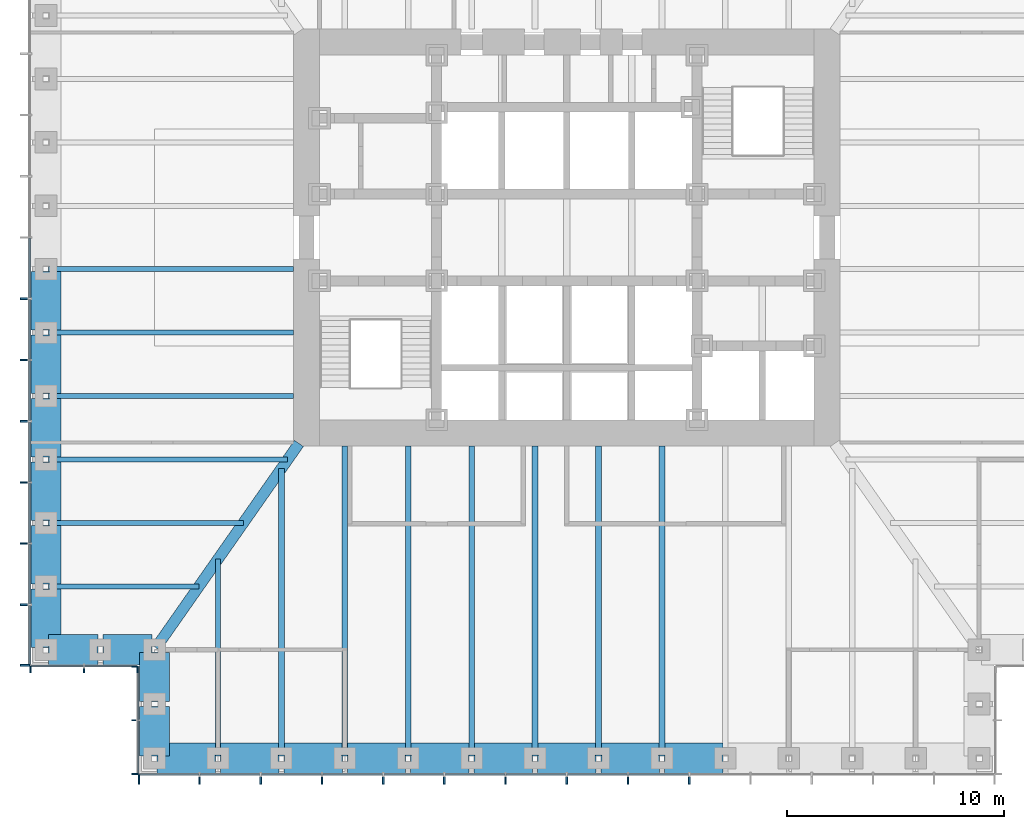
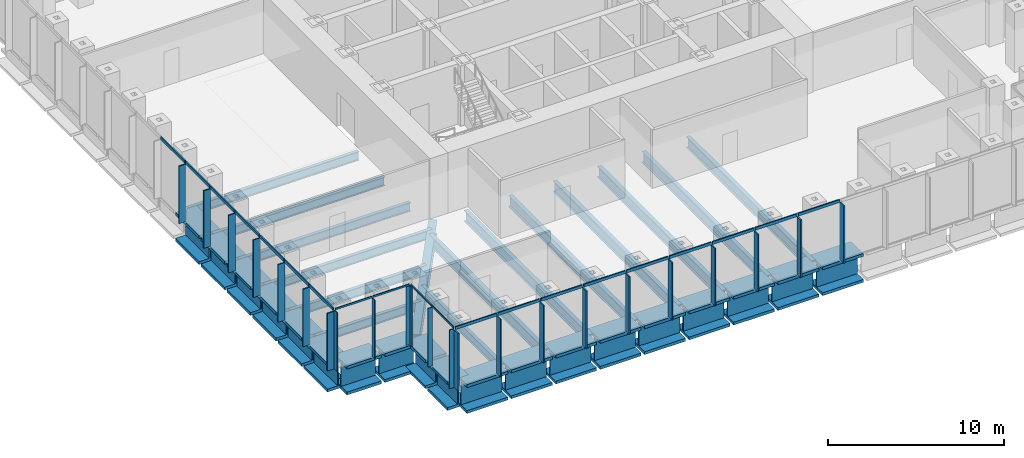
# One storey, part 2 of 16: 43 members, 34 beams, 4 elements without a shape of their own.
"""IFC4 building model written with IfcOpenShell, lengths in metres."""

from ifc_helpers import new_model, si_unit, direction, frame, origin, origin_2d, place, context, subcontext, project, spatial, rectangle, i_section, extrude, material, material_profile, profile_set, type_object, element, aggregate, save


model = new_model("IFC4")

# Units and contexts
model_context = context("Model", 3, precision=1e-05, world=origin(), true_north=direction((0.0, 1.0)))
body_context = subcontext(model_context, "Body", "Model", "MODEL_VIEW")
ifc_project = project(units=[si_unit("LENGTHUNIT", "METRE"), si_unit("AREAUNIT", "SQUARE_METRE"), si_unit("VOLUMEUNIT", "CUBIC_METRE"), si_unit("PLANEANGLEUNIT", "RADIAN"), si_unit("MASSUNIT", "GRAM", prefix="KILO")], contexts=[model_context])

# Site, building, storey
site_placement = place(None, origin())
site = spatial("IfcSite", under=ifc_project, at=site_placement, CompositionType="ELEMENT")
building_placement = place(site_placement, origin())
building = spatial("IfcBuilding", under=site, at=building_placement, Name="Daluyong Arena Tower", CompositionType="ELEMENT")
storey_placement = place(building_placement, frame((0.0, 0.0, 39.10009765625)))
storey = spatial("IfcBuildingStorey", under=building, at=storey_placement, Name="L07", CompositionType="ELEMENT", Elevation=39.10009765625)

# Curtain wall, members
ifc_material_1 = material(Name="Bronze anodised aluminium and glass", Category="aluminium")
curtain_wall_type_1 = type_object("IfcCurtainWallType", Name="Curtain wall CW1", PredefinedType="USERDEFINED", material=ifc_material_1)
curtain_wall_1_placement = place(storey_placement, origin())
curtain_wall_1 = element("IfcCurtainWall", 1, at=curtain_wall_1_placement, inside=storey, type_object=curtain_wall_type_1, Name="curtain wall L07 S", ObjectType="UNITISED CURTAIN WALL", PredefinedType="USERDEFINED")
ifc_material_2 = material(Name="Bronze anodised aluminium fin", Category="aluminium")
ifc_material_profile_1 = material_profile(ifc_material_2, rectangle(XDim=0.449951171875, YDim=0.080078125, at=origin_2d()))
ifc_profile_set_1 = profile_set([ifc_material_profile_1], Name="Bronze anodised aluminium fin")
member_type_1 = type_object("IfcMemberType", Name="CW1 bronze fin 450x80", PredefinedType="MULLION", material=ifc_profile_set_1)
member_1_placement = place(storey_placement, frame((36.2900390625, 55.02490234375, 0.0), z_axis=(0.0, 0.0, 1.0), x_axis=(0.0, 1.0, 0.0)))
member_1 = element("IfcMember", 2, at=member_1_placement, type_object=member_type_1, Name="curtain wall L07 S fin 1", PredefinedType="MULLION", context=body_context, shape_type="SweptSolid", body=[
    extrude(rectangle(XDim=0.449951171875, YDim=0.080078125, at=origin_2d()), origin(), (0.0, 0.0, 1.0), 4.0),
])
member_2_placement = place(storey_placement, frame((39.071533203125, 55.02490234375, 0.0), z_axis=(0.0, 0.0, 1.0), x_axis=(0.0, 1.0, 0.0)))
member_2 = element("IfcMember", 3, at=member_2_placement, type_object=member_type_1, Name="curtain wall L07 S fin 2", PredefinedType="MULLION", context=body_context, shape_type="SweptSolid", body=[
    extrude(rectangle(XDim=0.449951171875, YDim=0.080078125, at=origin_2d()), origin(), (0.0, 0.0, 1.0), 4.0),
])
member_3_placement = place(storey_placement, frame((41.892822265625, 55.02490234375, 0.0), z_axis=(0.0, 0.0, 1.0), x_axis=(0.0, 1.0, 0.0)))
member_3 = element("IfcMember", 4, at=member_3_placement, type_object=member_type_1, Name="curtain wall L07 S fin 3", PredefinedType="MULLION", context=body_context, shape_type="SweptSolid", body=[
    extrude(rectangle(XDim=0.449951171875, YDim=0.080078125, at=origin_2d()), origin(), (0.0, 0.0, 1.0), 4.0),
])
member_4_placement = place(storey_placement, frame((44.71435546875, 55.02490234375, 0.0), z_axis=(0.0, 0.0, 1.0), x_axis=(0.0, 1.0, 0.0)))
member_4 = element("IfcMember", 5, at=member_4_placement, type_object=member_type_1, Name="curtain wall L07 S fin 4", PredefinedType="MULLION", context=body_context, shape_type="SweptSolid", body=[
    extrude(rectangle(XDim=0.449951171875, YDim=0.080078125, at=origin_2d()), origin(), (0.0, 0.0, 1.0), 4.0),
])
member_5_placement = place(storey_placement, frame((47.53564453125, 55.02490234375, 0.0), z_axis=(0.0, 0.0, 1.0), x_axis=(0.0, 1.0, 0.0)))
member_5 = element("IfcMember", 6, at=member_5_placement, type_object=member_type_1, Name="curtain wall L07 S fin 5", PredefinedType="MULLION", context=body_context, shape_type="SweptSolid", body=[
    extrude(rectangle(XDim=0.449951171875, YDim=0.080078125, at=origin_2d()), origin(), (0.0, 0.0, 1.0), 4.0),
])
member_6_placement = place(storey_placement, frame((50.357177734375, 55.02490234375, 0.0), z_axis=(0.0, 0.0, 1.0), x_axis=(0.0, 1.0, 0.0)))
member_6 = element("IfcMember", 7, at=member_6_placement, type_object=member_type_1, Name="curtain wall L07 S fin 6", PredefinedType="MULLION", context=body_context, shape_type="SweptSolid", body=[
    extrude(rectangle(XDim=0.449951171875, YDim=0.080078125, at=origin_2d()), origin(), (0.0, 0.0, 1.0), 4.0),
])
member_7_placement = place(storey_placement, frame((53.178466796875, 55.02490234375, 0.0), z_axis=(0.0, 0.0, 1.0), x_axis=(0.0, 1.0, 0.0)))
member_7 = element("IfcMember", 8, at=member_7_placement, type_object=member_type_1, Name="curtain wall L07 S fin 7", PredefinedType="MULLION", context=body_context, shape_type="SweptSolid", body=[
    extrude(rectangle(XDim=0.449951171875, YDim=0.080078125, at=origin_2d()), origin(), (0.0, 0.0, 1.0), 4.0),
])
member_8_placement = place(storey_placement, frame((56.0, 55.02490234375, 0.0), z_axis=(0.0, 0.0, 1.0), x_axis=(0.0, 1.0, 0.0)))
member_8 = element("IfcMember", 9, at=member_8_placement, type_object=member_type_1, Name="curtain wall L07 S fin 8", PredefinedType="MULLION", context=body_context, shape_type="SweptSolid", body=[
    extrude(rectangle(XDim=0.449951171875, YDim=0.080078125, at=origin_2d()), origin(), (0.0, 0.0, 1.0), 4.0),
])
member_9_placement = place(storey_placement, frame((58.821533203125, 55.02490234375, 0.0), z_axis=(0.0, 0.0, 1.0), x_axis=(0.0, 1.0, 0.0)))
member_9 = element("IfcMember", 10, at=member_9_placement, type_object=member_type_1, Name="curtain wall L07 S fin 9", PredefinedType="MULLION", context=body_context, shape_type="SweptSolid", body=[
    extrude(rectangle(XDim=0.449951171875, YDim=0.080078125, at=origin_2d()), origin(), (0.0, 0.0, 1.0), 4.0),
])
member_10_placement = place(storey_placement, frame((61.642822265625, 55.02490234375, 0.0), z_axis=(0.0, 0.0, 1.0), x_axis=(0.0, 1.0, 0.0)))
member_10 = element("IfcMember", 11, at=member_10_placement, type_object=member_type_1, Name="curtain wall L07 S fin 10", PredefinedType="MULLION", context=body_context, shape_type="SweptSolid", body=[
    extrude(rectangle(XDim=0.449951171875, YDim=0.080078125, at=origin_2d()), origin(), (0.0, 0.0, 1.0), 4.0),
])

curtain_wall_2_placement = place(storey_placement, origin())
curtain_wall_2 = element("IfcCurtainWall", 12, at=curtain_wall_2_placement, inside=storey, type_object=curtain_wall_type_1, Name="curtain wall L07 W", ObjectType="UNITISED CURTAIN WALL", PredefinedType="USERDEFINED")
member_11_placement = place(storey_placement, frame((31.02490234375, 77.178466796875, 0.0), z_axis=(0.0, 0.0, 1.0), x_axis=(1.0, 0.0, 0.0)))
member_11 = element("IfcMember", 13, at=member_11_placement, type_object=member_type_1, Name="curtain wall L07 W fin 9", PredefinedType="MULLION", context=body_context, shape_type="SweptSolid", body=[
    extrude(rectangle(XDim=0.449951171875, YDim=0.080078125, at=origin_2d()), origin(), (0.0, 0.0, 1.0), 4.0),
])
member_12_placement = place(storey_placement, frame((31.02490234375, 74.357177734375, 0.0), z_axis=(0.0, 0.0, 1.0), x_axis=(1.0, 0.0, 0.0)))
member_12 = element("IfcMember", 14, at=member_12_placement, type_object=member_type_1, Name="curtain wall L07 W fin 10", PredefinedType="MULLION", context=body_context, shape_type="SweptSolid", body=[
    extrude(rectangle(XDim=0.449951171875, YDim=0.080078125, at=origin_2d()), origin(), (0.0, 0.0, 1.0), 4.0),
])
member_13_placement = place(storey_placement, frame((31.02490234375, 71.53564453125, 0.0), z_axis=(0.0, 0.0, 1.0), x_axis=(1.0, 0.0, 0.0)))
member_13 = element("IfcMember", 15, at=member_13_placement, type_object=member_type_1, Name="curtain wall L07 W fin 11", PredefinedType="MULLION", context=body_context, shape_type="SweptSolid", body=[
    extrude(rectangle(XDim=0.449951171875, YDim=0.080078125, at=origin_2d()), origin(), (0.0, 0.0, 1.0), 4.0),
])
member_14_placement = place(storey_placement, frame((31.02490234375, 68.71435546875, 0.0), z_axis=(0.0, 0.0, 1.0), x_axis=(1.0, 0.0, 0.0)))
member_14 = element("IfcMember", 16, at=member_14_placement, type_object=member_type_1, Name="curtain wall L07 W fin 12", PredefinedType="MULLION", context=body_context, shape_type="SweptSolid", body=[
    extrude(rectangle(XDim=0.449951171875, YDim=0.080078125, at=origin_2d()), origin(), (0.0, 0.0, 1.0), 4.0),
])
member_15_placement = place(storey_placement, frame((31.02490234375, 65.892822265625, 0.0), z_axis=(0.0, 0.0, 1.0), x_axis=(1.0, 0.0, 0.0)))
member_15 = element("IfcMember", 17, at=member_15_placement, type_object=member_type_1, Name="curtain wall L07 W fin 13", PredefinedType="MULLION", context=body_context, shape_type="SweptSolid", body=[
    extrude(rectangle(XDim=0.449951171875, YDim=0.080078125, at=origin_2d()), origin(), (0.0, 0.0, 1.0), 4.0),
])
member_16_placement = place(storey_placement, frame((31.02490234375, 63.071533203125, 0.0), z_axis=(0.0, 0.0, 1.0), x_axis=(1.0, 0.0, 0.0)))
member_16 = element("IfcMember", 18, at=member_16_placement, type_object=member_type_1, Name="curtain wall L07 W fin 14", PredefinedType="MULLION", context=body_context, shape_type="SweptSolid", body=[
    extrude(rectangle(XDim=0.449951171875, YDim=0.080078125, at=origin_2d()), origin(), (0.0, 0.0, 1.0), 4.0),
])
member_17_placement = place(storey_placement, frame((31.02490234375, 60.2900390625, 0.0), z_axis=(0.0, 0.0, 1.0), x_axis=(1.0, 0.0, 0.0)))
member_17 = element("IfcMember", 19, at=member_17_placement, type_object=member_type_1, Name="curtain wall L07 W fin 15", PredefinedType="MULLION", context=body_context, shape_type="SweptSolid", body=[
    extrude(rectangle(XDim=0.449951171875, YDim=0.080078125, at=origin_2d()), origin(), (0.0, 0.0, 1.0), 4.0),
])

# Member
ifc_material_3 = material(Name="Bronze anodised aluminium", Category="aluminium")
ifc_material_profile_2 = material_profile(ifc_material_3, rectangle(XDim=0.080078125, YDim=0.199951171875, at=origin_2d()))
ifc_profile_set_2 = profile_set([ifc_material_profile_2], Name="Bronze anodised aluminium")
member_type_2 = type_object("IfcMemberType", Name="CW1 stack transom 200x80", PredefinedType="USERDEFINED", material=ifc_profile_set_2)
member_18_placement = place(storey_placement, frame((36.330078125, 55.25, 4.099853515625), z_axis=(1.0, 0.0, 0.0), x_axis=(0.0, 1.0, 0.0)))
member_18 = element("IfcMember", 20, at=member_18_placement, type_object=member_type_2, Name="curtain wall L07 S transom 1", ObjectType="TRANSOM", PredefinedType="USERDEFINED", context=body_context, shape_type="SweptSolid", body=[
    extrude(rectangle(XDim=0.080078125, YDim=0.199951171875, at=origin_2d()), origin(), (0.0, 0.0, 1.0), 2.701416015625),
])

member_19_placement = place(storey_placement, frame((39.111328125, 55.25, 4.099853515625), z_axis=(1.0, 0.0, 0.0), x_axis=(0.0, 1.0, 0.0)))
member_19 = element("IfcMember", 21, at=member_19_placement, type_object=member_type_2, Name="curtain wall L07 S transom 2", ObjectType="TRANSOM", PredefinedType="USERDEFINED", context=body_context, shape_type="SweptSolid", body=[
    extrude(rectangle(XDim=0.080078125, YDim=0.199951171875, at=origin_2d()), origin(), (0.0, 0.0, 1.0), 2.741455078125),
])

member_20_placement = place(storey_placement, frame((41.932861328125, 55.25, 4.099853515625), z_axis=(1.0, 0.0, 0.0), x_axis=(0.0, 1.0, 0.0)))
member_20 = element("IfcMember", 22, at=member_20_placement, type_object=member_type_2, Name="curtain wall L07 S transom 3", ObjectType="TRANSOM", PredefinedType="USERDEFINED", context=body_context, shape_type="SweptSolid", body=[
    extrude(rectangle(XDim=0.080078125, YDim=0.199951171875, at=origin_2d()), origin(), (0.0, 0.0, 1.0), 2.741455078125),
])

member_21_placement = place(storey_placement, frame((44.75439453125, 55.25, 4.099853515625), z_axis=(1.0, 0.0, 0.0), x_axis=(0.0, 1.0, 0.0)))
member_21 = element("IfcMember", 23, at=member_21_placement, type_object=member_type_2, Name="curtain wall L07 S transom 4", ObjectType="TRANSOM", PredefinedType="USERDEFINED", context=body_context, shape_type="SweptSolid", body=[
    extrude(rectangle(XDim=0.080078125, YDim=0.199951171875, at=origin_2d()), origin(), (0.0, 0.0, 1.0), 2.7412109375),
])

member_22_placement = place(storey_placement, frame((47.57568359375, 55.25, 4.099853515625), z_axis=(1.0, 0.0, 0.0), x_axis=(0.0, 1.0, 0.0)))
member_22 = element("IfcMember", 24, at=member_22_placement, type_object=member_type_2, Name="curtain wall L07 S transom 5", ObjectType="TRANSOM", PredefinedType="USERDEFINED", context=body_context, shape_type="SweptSolid", body=[
    extrude(rectangle(XDim=0.080078125, YDim=0.199951171875, at=origin_2d()), origin(), (0.0, 0.0, 1.0), 2.741455078125),
])

member_23_placement = place(storey_placement, frame((50.397216796875, 55.25, 4.099853515625), z_axis=(1.0, 0.0, 0.0), x_axis=(0.0, 1.0, 0.0)))
member_23 = element("IfcMember", 25, at=member_23_placement, type_object=member_type_2, Name="curtain wall L07 S transom 6", ObjectType="TRANSOM", PredefinedType="USERDEFINED", context=body_context, shape_type="SweptSolid", body=[
    extrude(rectangle(XDim=0.080078125, YDim=0.199951171875, at=origin_2d()), origin(), (0.0, 0.0, 1.0), 2.741455078125),
])

member_24_placement = place(storey_placement, frame((53.218505859375, 55.25, 4.099853515625), z_axis=(1.0, 0.0, 0.0), x_axis=(0.0, 1.0, 0.0)))
member_24 = element("IfcMember", 26, at=member_24_placement, type_object=member_type_2, Name="curtain wall L07 S transom 7", ObjectType="TRANSOM", PredefinedType="USERDEFINED", context=body_context, shape_type="SweptSolid", body=[
    extrude(rectangle(XDim=0.080078125, YDim=0.199951171875, at=origin_2d()), origin(), (0.0, 0.0, 1.0), 2.741455078125),
])

member_25_placement = place(storey_placement, frame((56.0400390625, 55.25, 4.099853515625), z_axis=(1.0, 0.0, 0.0), x_axis=(0.0, 1.0, 0.0)))
member_25 = element("IfcMember", 27, at=member_25_placement, type_object=member_type_2, Name="curtain wall L07 S transom 8", ObjectType="TRANSOM", PredefinedType="USERDEFINED", context=body_context, shape_type="SweptSolid", body=[
    extrude(rectangle(XDim=0.080078125, YDim=0.199951171875, at=origin_2d()), origin(), (0.0, 0.0, 1.0), 2.741455078125),
])

member_26_placement = place(storey_placement, frame((58.861328125, 55.25, 4.099853515625), z_axis=(1.0, 0.0, 0.0), x_axis=(0.0, 1.0, 0.0)))
member_26 = element("IfcMember", 28, at=member_26_placement, type_object=member_type_2, Name="curtain wall L07 S transom 9", ObjectType="TRANSOM", PredefinedType="USERDEFINED", context=body_context, shape_type="SweptSolid", body=[
    extrude(rectangle(XDim=0.080078125, YDim=0.199951171875, at=origin_2d()), origin(), (0.0, 0.0, 1.0), 2.741455078125),
])

aggregate(curtain_wall_1, [member_1, member_2, member_3, member_4, member_5, member_6, member_7, member_8, member_9, member_10, member_18, member_19, member_20, member_21, member_22, member_23, member_24, member_25, member_26])

member_27_placement = place(storey_placement, frame((31.25, 79.9599609375, 4.099853515625), z_axis=(0.0, -1.0, 0.0), x_axis=(1.0, 0.0, 0.0)))
member_27 = element("IfcMember", 29, at=member_27_placement, type_object=member_type_2, Name="curtain wall L07 W transom 8", ObjectType="TRANSOM", PredefinedType="USERDEFINED", context=body_context, shape_type="SweptSolid", body=[
    extrude(rectangle(XDim=0.080078125, YDim=0.199951171875, at=origin_2d()), origin(), (0.0, 0.0, 1.0), 2.741455078125),
])

member_28_placement = place(storey_placement, frame((31.25, 77.138671875, 4.099853515625), z_axis=(0.0, -1.0, 0.0), x_axis=(1.0, 0.0, 0.0)))
member_28 = element("IfcMember", 30, at=member_28_placement, type_object=member_type_2, Name="curtain wall L07 W transom 9", ObjectType="TRANSOM", PredefinedType="USERDEFINED", context=body_context, shape_type="SweptSolid", body=[
    extrude(rectangle(XDim=0.080078125, YDim=0.199951171875, at=origin_2d()), origin(), (0.0, 0.0, 1.0), 2.741455078125),
])

member_29_placement = place(storey_placement, frame((31.25, 74.317138671875, 4.099853515625), z_axis=(0.0, -1.0, 0.0), x_axis=(1.0, 0.0, 0.0)))
member_29 = element("IfcMember", 31, at=member_29_placement, type_object=member_type_2, Name="curtain wall L07 W transom 10", ObjectType="TRANSOM", PredefinedType="USERDEFINED", context=body_context, shape_type="SweptSolid", body=[
    extrude(rectangle(XDim=0.080078125, YDim=0.199951171875, at=origin_2d()), origin(), (0.0, 0.0, 1.0), 2.741455078125),
])

member_30_placement = place(storey_placement, frame((31.25, 71.49560546875, 4.099853515625), z_axis=(0.0, -1.0, 0.0), x_axis=(1.0, 0.0, 0.0)))
member_30 = element("IfcMember", 32, at=member_30_placement, type_object=member_type_2, Name="curtain wall L07 W transom 11", ObjectType="TRANSOM", PredefinedType="USERDEFINED", context=body_context, shape_type="SweptSolid", body=[
    extrude(rectangle(XDim=0.080078125, YDim=0.199951171875, at=origin_2d()), origin(), (0.0, 0.0, 1.0), 2.7412109375),
])

member_31_placement = place(storey_placement, frame((31.25, 68.67431640625, 4.099853515625), z_axis=(0.0, -1.0, 0.0), x_axis=(1.0, 0.0, 0.0)))
member_31 = element("IfcMember", 33, at=member_31_placement, type_object=member_type_2, Name="curtain wall L07 W transom 12", ObjectType="TRANSOM", PredefinedType="USERDEFINED", context=body_context, shape_type="SweptSolid", body=[
    extrude(rectangle(XDim=0.080078125, YDim=0.199951171875, at=origin_2d()), origin(), (0.0, 0.0, 1.0), 2.741455078125),
])

member_32_placement = place(storey_placement, frame((31.25, 65.852783203125, 4.099853515625), z_axis=(0.0, -1.0, 0.0), x_axis=(1.0, 0.0, 0.0)))
member_32 = element("IfcMember", 34, at=member_32_placement, type_object=member_type_2, Name="curtain wall L07 W transom 13", ObjectType="TRANSOM", PredefinedType="USERDEFINED", context=body_context, shape_type="SweptSolid", body=[
    extrude(rectangle(XDim=0.080078125, YDim=0.199951171875, at=origin_2d()), origin(), (0.0, 0.0, 1.0), 2.741455078125),
])

member_33_placement = place(storey_placement, frame((31.25, 63.031494140625, 4.099853515625), z_axis=(0.0, -1.0, 0.0), x_axis=(1.0, 0.0, 0.0)))
member_33 = element("IfcMember", 35, at=member_33_placement, type_object=member_type_2, Name="curtain wall L07 W transom 14", ObjectType="TRANSOM", PredefinedType="USERDEFINED", context=body_context, shape_type="SweptSolid", body=[
    extrude(rectangle(XDim=0.080078125, YDim=0.199951171875, at=origin_2d()), origin(), (0.0, 0.0, 1.0), 2.701416015625),
])

aggregate(curtain_wall_2, [member_11, member_12, member_13, member_14, member_15, member_16, member_17, member_27, member_28, member_29, member_30, member_31, member_32, member_33])

# Curtain wall, members
ifc_material_4 = material(Name="Bronze anodised aluminium and glass", Category="aluminium")
curtain_wall_type_2 = type_object("IfcCurtainWallType", Name="Curtain wall CW7", PredefinedType="USERDEFINED", material=ifc_material_4)
curtain_wall_3_placement = place(storey_placement, origin())
curtain_wall_3 = element("IfcCurtainWall", 36, at=curtain_wall_3_placement, inside=storey, type_object=curtain_wall_type_2, Name="curtain wall L07 SW-S", ObjectType="UNITISED CURTAIN WALL", PredefinedType="USERDEFINED")
ifc_material_5 = material(Name="Bronze anodised aluminium fin", Category="aluminium")
ifc_material_profile_3 = material_profile(ifc_material_5, rectangle(XDim=0.300048828125, YDim=0.06005859375, at=origin_2d()))
ifc_profile_set_3 = profile_set([ifc_material_profile_3], Name="Bronze anodised aluminium fin")
member_type_3 = type_object("IfcMemberType", Name="CW7 bronze fin 300x60", PredefinedType="MULLION", material=ifc_profile_set_3)
member_34_placement = place(storey_placement, frame((31.280029296875, 60.10009765625, 0.0), z_axis=(0.0, 0.0, 1.0), x_axis=(0.0, 1.0, 0.0)))
member_34 = element("IfcMember", 37, at=member_34_placement, type_object=member_type_3, Name="curtain wall L07 SW-S fin 1", PredefinedType="MULLION", context=body_context, shape_type="SweptSolid", body=[
    extrude(rectangle(XDim=0.300048828125, YDim=0.06005859375, at=origin_2d()), origin(), (0.0, 0.0, 1.0), 4.079833984375),
])
member_35_placement = place(storey_placement, frame((33.75, 60.10009765625, 0.0), z_axis=(0.0, 0.0, 1.0), x_axis=(0.0, 1.0, 0.0)))
member_35 = element("IfcMember", 38, at=member_35_placement, type_object=member_type_3, Name="curtain wall L07 SW-S fin 2", PredefinedType="MULLION", context=body_context, shape_type="SweptSolid", body=[
    extrude(rectangle(XDim=0.300048828125, YDim=0.06005859375, at=origin_2d()), origin(), (0.0, 0.0, 1.0), 4.079833984375),
])
member_36_placement = place(storey_placement, frame((36.219970703125, 60.10009765625, 0.0), z_axis=(0.0, 0.0, 1.0), x_axis=(0.0, 1.0, 0.0)))
member_36 = element("IfcMember", 39, at=member_36_placement, type_object=member_type_3, Name="curtain wall L07 SW-S fin 3", PredefinedType="MULLION", context=body_context, shape_type="SweptSolid", body=[
    extrude(rectangle(XDim=0.300048828125, YDim=0.06005859375, at=origin_2d()), origin(), (0.0, 0.0, 1.0), 4.079833984375),
])

curtain_wall_4_placement = place(storey_placement, origin())
curtain_wall_4 = element("IfcCurtainWall", 40, at=curtain_wall_4_placement, inside=storey, type_object=curtain_wall_type_2, Name="curtain wall L07 SW-W", ObjectType="UNITISED CURTAIN WALL", PredefinedType="USERDEFINED")
member_37_placement = place(storey_placement, frame((36.10009765625, 60.219970703125, 0.0), z_axis=(0.0, 0.0, 1.0), x_axis=(1.0, 0.0, 0.0)))
member_37 = element("IfcMember", 41, at=member_37_placement, type_object=member_type_3, Name="curtain wall L07 SW-W fin 1", PredefinedType="MULLION", context=body_context, shape_type="SweptSolid", body=[
    extrude(rectangle(XDim=0.300048828125, YDim=0.06005859375, at=origin_2d()), origin(), (0.0, 0.0, 1.0), 4.079833984375),
])
member_38_placement = place(storey_placement, frame((36.10009765625, 57.75, 0.0), z_axis=(0.0, 0.0, 1.0), x_axis=(1.0, 0.0, 0.0)))
member_38 = element("IfcMember", 42, at=member_38_placement, type_object=member_type_3, Name="curtain wall L07 SW-W fin 2", PredefinedType="MULLION", context=body_context, shape_type="SweptSolid", body=[
    extrude(rectangle(XDim=0.300048828125, YDim=0.06005859375, at=origin_2d()), origin(), (0.0, 0.0, 1.0), 4.079833984375),
])
member_39_placement = place(storey_placement, frame((36.10009765625, 55.280029296875, 0.0), z_axis=(0.0, 0.0, 1.0), x_axis=(1.0, 0.0, 0.0)))
member_39 = element("IfcMember", 43, at=member_39_placement, type_object=member_type_3, Name="curtain wall L07 SW-W fin 3", PredefinedType="MULLION", context=body_context, shape_type="SweptSolid", body=[
    extrude(rectangle(XDim=0.300048828125, YDim=0.06005859375, at=origin_2d()), origin(), (0.0, 0.0, 1.0), 4.079833984375),
])

# Member
ifc_material_6 = material(Name="Bronze anodised aluminium", Category="aluminium")
ifc_material_profile_4 = material_profile(ifc_material_6, rectangle(XDim=0.06005859375, YDim=0.1201171875, at=origin_2d()))
ifc_profile_set_4 = profile_set([ifc_material_profile_4], Name="Bronze anodised aluminium")
member_type_4 = type_object("IfcMemberType", Name="CW7 stack transom 120x60", PredefinedType="USERDEFINED", material=ifc_profile_set_4)
member_40_placement = place(storey_placement, frame((31.31005859375, 60.25, 4.139892578125), z_axis=(1.0, 0.0, 0.0), x_axis=(0.0, 1.0, 0.0)))
member_40 = element("IfcMember", 44, at=member_40_placement, type_object=member_type_4, Name="curtain wall L07 SW-S transom 1", ObjectType="TRANSOM", PredefinedType="USERDEFINED", context=body_context, shape_type="SweptSolid", body=[
    extrude(rectangle(XDim=0.06005859375, YDim=0.1201171875, at=origin_2d()), origin(), (0.0, 0.0, 1.0), 2.409912109375),
])

member_41_placement = place(storey_placement, frame((33.780029296875, 60.25, 4.139892578125), z_axis=(1.0, 0.0, 0.0), x_axis=(0.0, 1.0, 0.0)))
member_41 = element("IfcMember", 45, at=member_41_placement, type_object=member_type_4, Name="curtain wall L07 SW-S transom 2", ObjectType="TRANSOM", PredefinedType="USERDEFINED", context=body_context, shape_type="SweptSolid", body=[
    extrude(rectangle(XDim=0.06005859375, YDim=0.1201171875, at=origin_2d()), origin(), (0.0, 0.0, 1.0), 2.409912109375),
])

aggregate(curtain_wall_3, [member_34, member_35, member_36, member_40, member_41])

member_42_placement = place(storey_placement, frame((36.25, 60.18994140625, 4.139892578125), z_axis=(0.0, -1.0, 0.0), x_axis=(1.0, 0.0, 0.0)))
member_42 = element("IfcMember", 46, at=member_42_placement, type_object=member_type_4, Name="curtain wall L07 SW-W transom 1", ObjectType="TRANSOM", PredefinedType="USERDEFINED", context=body_context, shape_type="SweptSolid", body=[
    extrude(rectangle(XDim=0.06005859375, YDim=0.1201171875, at=origin_2d()), origin(), (0.0, 0.0, 1.0), 2.409912109375),
])

member_43_placement = place(storey_placement, frame((36.25, 57.719970703125, 4.139892578125), z_axis=(0.0, -1.0, 0.0), x_axis=(1.0, 0.0, 0.0)))
member_43 = element("IfcMember", 47, at=member_43_placement, type_object=member_type_4, Name="curtain wall L07 SW-W transom 2", ObjectType="TRANSOM", PredefinedType="USERDEFINED", context=body_context, shape_type="SweptSolid", body=[
    extrude(rectangle(XDim=0.06005859375, YDim=0.1201171875, at=origin_2d()), origin(), (0.0, 0.0, 1.0), 2.409912109375),
])

aggregate(curtain_wall_4, [member_37, member_38, member_39, member_42, member_43])

# Beams
ifc_material_7 = material(Name="Steel ASTM A572 Grade 50", Category="steel")
ifc_material_profile_5 = material_profile(ifc_material_7, i_section(OverallWidth=0.5, OverallDepth=1.0, WebThickness=0.03, FlangeThickness=0.06, at=origin_2d()))
ifc_profile_set_5 = profile_set([ifc_material_profile_5], Name="Steel ASTM A572 Grade 50")
beam_type_1 = type_object("IfcBeamType", Name="Corner girder TB1000X500", PredefinedType="BEAM", material=ifc_profile_set_5)
beam_1_placement = place(storey_placement, frame((37.06591796875, 61.09423828125, -0.66015625), z_axis=(0.573466621875, 0.819228926244, 0.0), x_axis=(-0.819228926244, 0.573466621875, 0.0)))
element("IfcBeam", 48, at=beam_1_placement, inside=storey, type_object=beam_type_1, Name="corner girder DG2", PredefinedType="BEAM", context=body_context, shape_type="SweptSolid", body=[
    extrude(i_section(OverallWidth=0.5, OverallDepth=1.0, WebThickness=0.03, FlangeThickness=0.06, at=origin_2d()), origin(), (0.0, 0.0, 1.0), 11.49169921875),
])
ifc_material_8 = material(Name="Steel ASTM A992 Grade 50", Category="steel")
ifc_material_profile_6 = material_profile(ifc_material_8, i_section(OverallWidth=0.22900390625, OverallDepth=0.612060546875, WebThickness=0.011962890625, FlangeThickness=0.01953125, at=origin_2d()))
ifc_profile_set_6 = profile_set([ifc_material_profile_6], Name="Steel ASTM A992 Grade 50")
beam_type_2 = type_object("IfcBeamType", Name="Floor beam W24X84", PredefinedType="BEAM", material=ifc_profile_set_6)
beam_2_placement = place(storey_placement, frame((39.923095703125, 56.114990234375, -0.466064453125), z_axis=(0.0, 1.0, 0.0), x_axis=(-1.0, 0.0, 0.0)))
element("IfcBeam", 49, at=beam_2_placement, inside=storey, type_object=beam_type_2, Name="floor beam FB3", PredefinedType="BEAM", context=body_context, shape_type="SweptSolid", body=[
    extrude(i_section(OverallWidth=0.22900390625, OverallDepth=0.612060546875, WebThickness=0.011962890625, FlangeThickness=0.01953125, at=origin_2d()), origin(), (0.0, 0.0, 1.0), 9.060791015625),
])
for number, where, z_axis, x_axis, name in (
    (50, (32.114990234375, 78.53857421875, -0.466064453125), (1.0, 0.0, 0.0), (0.0, 1.0, 0.0), "floor beam FB3"),
    (51, (32.114990234375, 75.615478515625, -0.466064453125), (1.0, 0.0, 0.0), (0.0, 1.0, 0.0), "floor beam FB3"),
    (52, (32.114990234375, 72.6923828125, -0.466064453125), (1.0, 0.0, 0.0), (0.0, 1.0, 0.0), "floor beam FB3"),
):
    element("IfcBeam", number, at=place(storey_placement, frame(where, z_axis=z_axis, x_axis=x_axis)), inside=storey, type_object=beam_type_2, Name=name, PredefinedType="BEAM", context=body_context, shape_type="SweptSolid", body=[
        extrude(i_section(OverallWidth=0.22900390625, OverallDepth=0.612060546875, WebThickness=0.011962890625, FlangeThickness=0.01953125, at=origin_2d()), origin(), (0.0, 0.0, 1.0), 11.284912109375),
    ])
beam_3_placement = place(storey_placement, frame((32.114990234375, 69.769287109375, -0.466064453125), z_axis=(1.0, 0.0, 0.0), x_axis=(0.0, 1.0, 0.0)))
element("IfcBeam", 53, at=beam_3_placement, inside=storey, type_object=beam_type_2, Name="floor beam FB3", PredefinedType="BEAM", context=body_context, shape_type="SweptSolid", body=[
    extrude(i_section(OverallWidth=0.22900390625, OverallDepth=0.612060546875, WebThickness=0.011962890625, FlangeThickness=0.01953125, at=origin_2d()), origin(), (0.0, 0.0, 1.0), 11.0234375),
])
beam_4_placement = place(storey_placement, frame((32.114990234375, 66.84619140625, -0.466064453125), z_axis=(1.0, 0.0, 0.0), x_axis=(0.0, 1.0, 0.0)))
element("IfcBeam", 54, at=beam_4_placement, inside=storey, type_object=beam_type_2, Name="floor beam FB3", PredefinedType="BEAM", context=body_context, shape_type="SweptSolid", body=[
    extrude(i_section(OverallWidth=0.22900390625, OverallDepth=0.612060546875, WebThickness=0.011962890625, FlangeThickness=0.01953125, at=origin_2d()), origin(), (0.0, 0.0, 1.0), 8.977294921875),
])
beam_5_placement = place(storey_placement, frame((32.114990234375, 63.923095703125, -0.466064453125), z_axis=(1.0, 0.0, 0.0), x_axis=(0.0, 1.0, 0.0)))
element("IfcBeam", 55, at=beam_5_placement, inside=storey, type_object=beam_type_2, Name="floor beam FB3", PredefinedType="BEAM", context=body_context, shape_type="SweptSolid", body=[
    extrude(i_section(OverallWidth=0.22900390625, OverallDepth=0.612060546875, WebThickness=0.011962890625, FlangeThickness=0.01953125, at=origin_2d()), origin(), (0.0, 0.0, 1.0), 6.93115234375),
])
ifc_material_9 = material(Name="Steel ASTM A992 Grade 50", Category="steel")
ifc_material_profile_7 = material_profile(ifc_material_9, i_section(OverallWidth=0.2666015625, OverallDepth=0.761962890625, WebThickness=0.014404296875, FlangeThickness=0.021484375, at=origin_2d()))
ifc_profile_set_7 = profile_set([ifc_material_profile_7], Name="Steel ASTM A992 Grade 50")
beam_type_3 = type_object("IfcBeamType", Name="Floor beam W30X116", PredefinedType="BEAM", material=ifc_profile_set_7)
beam_6_placement = place(storey_placement, frame((42.84619140625, 56.114990234375, -0.541015625), z_axis=(0.0, 1.0, 0.0), x_axis=(-1.0, 0.0, 0.0)))
element("IfcBeam", 56, at=beam_6_placement, inside=storey, type_object=beam_type_3, Name="floor beam FB4", PredefinedType="BEAM", context=body_context, shape_type="SweptSolid", body=[
    extrude(i_section(OverallWidth=0.2666015625, OverallDepth=0.761962890625, WebThickness=0.014404296875, FlangeThickness=0.021484375, at=origin_2d()), origin(), (0.0, 0.0, 1.0), 13.236572265625),
])
for number, where, z_axis, x_axis, name in (
    (57, (45.769287109375, 56.114990234375, -0.541015625), (0.0, 1.0, 0.0), (-1.0, 0.0, 0.0), "floor beam FB4"),
    (58, (48.6923828125, 56.114990234375, -0.541015625), (0.0, 1.0, 0.0), (-1.0, 0.0, 0.0), "floor beam FB4"),
    (59, (51.615478515625, 56.114990234375, -0.541015625), (0.0, 1.0, 0.0), (-1.0, 0.0, 0.0), "floor beam FB4"),
    (60, (54.53857421875, 56.114990234375, -0.541015625), (0.0, 1.0, 0.0), (-1.0, 0.0, 0.0), "floor beam FB4"),
    (61, (57.46142578125, 56.114990234375, -0.541015625), (0.0, 1.0, 0.0), (-1.0, 0.0, 0.0), "floor beam FB4"),
    (62, (60.384521484375, 56.114990234375, -0.541015625), (0.0, 1.0, 0.0), (-1.0, 0.0, 0.0), "floor beam FB4"),
):
    element("IfcBeam", number, at=place(storey_placement, frame(where, z_axis=z_axis, x_axis=x_axis)), inside=storey, type_object=beam_type_3, Name=name, PredefinedType="BEAM", context=body_context, shape_type="SweptSolid", body=[
        extrude(i_section(OverallWidth=0.2666015625, OverallDepth=0.761962890625, WebThickness=0.014404296875, FlangeThickness=0.021484375, at=origin_2d()), origin(), (0.0, 0.0, 1.0), 14.284912109375),
    ])
ifc_material_10 = material(Name="Steel ASTM A588 Grade 50", Category="steel")
ifc_material_profile_8 = material_profile(ifc_material_10, i_section(OverallWidth=1.39990234375, OverallDepth=2.0, WebThickness=0.07, FlangeThickness=0.2, at=origin_2d()))
ifc_profile_set_8 = profile_set([ifc_material_profile_8], Name="Steel ASTM A588 Grade 50")
beam_type_4 = type_object("IfcBeamType", Name="Spandrel Z1 PG2000X1400", PredefinedType="SPANDREL", material=ifc_profile_set_8)
for number, where, z_axis, x_axis, name in (
    (63, (37.114990234375, 56.0, -1.16015625), (1.0, 0.0, 0.0), (0.0, 1.0, 0.0), "spandrel z1 SB1"),
    (64, (40.0380859375, 56.0, -1.16015625), (1.0, 0.0, 0.0), (0.0, 1.0, 0.0), "spandrel z1 SB1"),
    (65, (42.961181640625, 56.0, -1.16015625), (1.0, 0.0, 0.0), (0.0, 1.0, 0.0), "spandrel z1 SB1"),
    (66, (45.88427734375, 56.0, -1.16015625), (1.0, 0.0, 0.0), (0.0, 1.0, 0.0), "spandrel z1 SB1"),
    (67, (48.807373046875, 56.0, -1.16015625), (1.0, 0.0, 0.0), (0.0, 1.0, 0.0), "spandrel z1 SB1"),
    (68, (51.73046875, 56.0, -1.16015625), (1.0, 0.0, 0.0), (0.0, 1.0, 0.0), "spandrel z1 SB1"),
):
    element("IfcBeam", number, at=place(storey_placement, frame(where, z_axis=z_axis, x_axis=x_axis)), inside=storey, type_object=beam_type_4, Name=name, PredefinedType="SPANDREL", context=body_context, shape_type="SweptSolid", body=[
        extrude(i_section(OverallWidth=1.39990234375, OverallDepth=2.0, WebThickness=0.07, FlangeThickness=0.2, at=origin_2d()), origin(), (0.0, 0.0, 1.0), 2.693115234375),
    ])
beam_7_placement = place(storey_placement, frame((54.653564453125, 56.0, -1.16015625), z_axis=(1.0, 0.0, 0.0), x_axis=(0.0, 1.0, 0.0)))
element("IfcBeam", 69, at=beam_7_placement, inside=storey, type_object=beam_type_4, Name="spandrel z1 SB1", PredefinedType="SPANDREL", context=body_context, shape_type="SweptSolid", body=[
    extrude(i_section(OverallWidth=1.39990234375, OverallDepth=2.0, WebThickness=0.07, FlangeThickness=0.2, at=origin_2d()), origin(), (0.0, 0.0, 1.0), 2.69287109375),
])
for number, where, z_axis, x_axis, name in (
    (70, (57.576416015625, 56.0, -1.16015625), (1.0, 0.0, 0.0), (0.0, 1.0, 0.0), "spandrel z1 SB1"),
    (71, (60.49951171875, 56.0, -1.16015625), (1.0, 0.0, 0.0), (0.0, 1.0, 0.0), "spandrel z1 SB1"),
    (72, (32.0, 78.423583984375, -1.16015625), (0.0, -1.0, 0.0), (1.0, 0.0, 0.0), "spandrel z1 SB1"),
    (73, (32.0, 75.50048828125, -1.16015625), (0.0, -1.0, 0.0), (1.0, 0.0, 0.0), "spandrel z1 SB1"),
    (74, (32.0, 72.577392578125, -1.16015625), (0.0, -1.0, 0.0), (1.0, 0.0, 0.0), "spandrel z1 SB1"),
    (75, (32.0, 69.654296875, -1.16015625), (0.0, -1.0, 0.0), (1.0, 0.0, 0.0), "spandrel z1 SB1"),
    (76, (32.0, 66.731201171875, -1.16015625), (0.0, -1.0, 0.0), (1.0, 0.0, 0.0), "spandrel z1 SB1"),
    (77, (32.0, 63.80810546875, -1.16015625), (0.0, -1.0, 0.0), (1.0, 0.0, 0.0), "spandrel z1 SB1"),
):
    element("IfcBeam", number, at=place(storey_placement, frame(where, z_axis=z_axis, x_axis=x_axis)), inside=storey, type_object=beam_type_4, Name=name, PredefinedType="SPANDREL", context=body_context, shape_type="SweptSolid", body=[
        extrude(i_section(OverallWidth=1.39990234375, OverallDepth=2.0, WebThickness=0.07, FlangeThickness=0.2, at=origin_2d()), origin(), (0.0, 0.0, 1.0), 2.693115234375),
    ])
for number, where, z_axis, x_axis, name in (
    (78, (32.114990234375, 61.0, -1.16015625), (1.0, 0.0, 0.0), (0.0, 1.0, 0.0), "spandrel z1 SB1"),
    (79, (34.614990234375, 61.0, -1.16015625), (1.0, 0.0, 0.0), (0.0, 1.0, 0.0), "spandrel z1 SB1"),
    (80, (37.0, 60.885009765625, -1.16015625), (0.0, -1.0, 0.0), (1.0, 0.0, 0.0), "spandrel z1 SB1"),
    (81, (37.0, 58.385009765625, -1.16015625), (0.0, -1.0, 0.0), (1.0, 0.0, 0.0), "spandrel z1 SB1"),
):
    element("IfcBeam", number, at=place(storey_placement, frame(where, z_axis=z_axis, x_axis=x_axis)), inside=storey, type_object=beam_type_4, Name=name, PredefinedType="SPANDREL", context=body_context, shape_type="SweptSolid", body=[
        extrude(i_section(OverallWidth=1.39990234375, OverallDepth=2.0, WebThickness=0.07, FlangeThickness=0.2, at=origin_2d()), origin(), (0.0, 0.0, 1.0), 2.27001953125),
    ])

save(model, "model.ifc")
